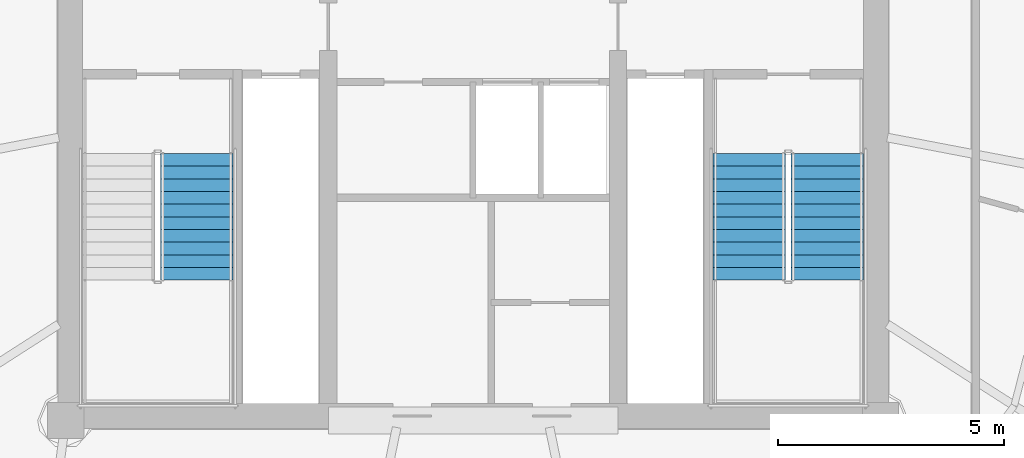
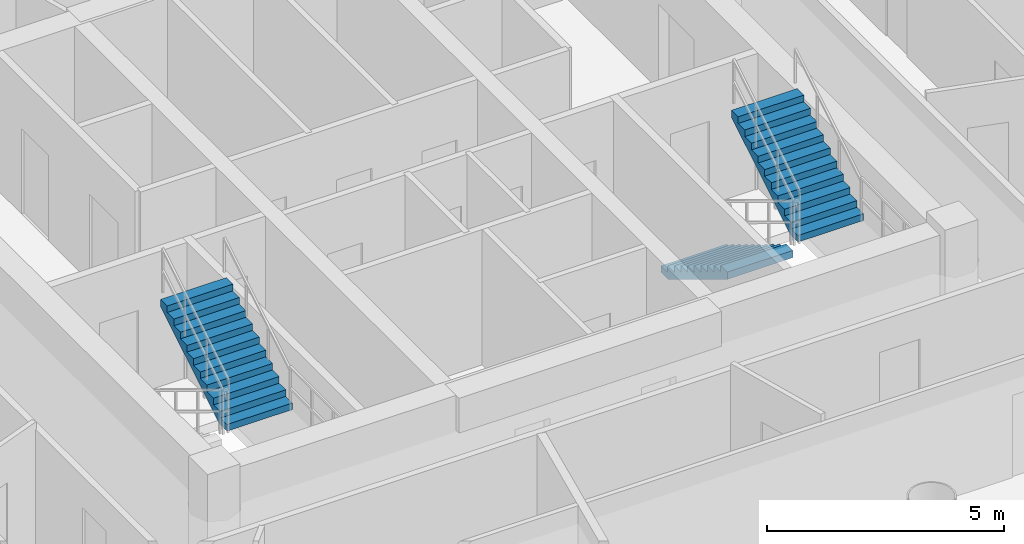
# One storey, part 18 of 22: 3 stair flights, 2 elements without a shape of their own.
"""IFC4 building model written with IfcOpenShell, lengths in metres."""

from ifc_helpers import new_model, si_unit, direction, frame, origin, place, context, subcontext, project, spatial, polyline, outline, extrude, material, type_object, element, aggregate, save


model = new_model("IFC4")

# Units and contexts
model_context = context("Model", 3, precision=1e-05, world=origin(), true_north=direction((-0.2419218956, 0.970295726276)))
body_context = subcontext(model_context, "Body", "Model", "MODEL_VIEW")
ifc_project = project(units=[si_unit("LENGTHUNIT", "METRE"), si_unit("AREAUNIT", "SQUARE_METRE"), si_unit("VOLUMEUNIT", "CUBIC_METRE"), si_unit("PLANEANGLEUNIT", "RADIAN"), si_unit("MASSUNIT", "GRAM", prefix="KILO")], contexts=[model_context])

# Site, building, storey
site_placement = place(None, origin())
site = spatial("IfcSite", under=ifc_project, at=site_placement, CompositionType="ELEMENT")
building_placement = place(site_placement, origin())
building = spatial("IfcBuilding", under=site, at=building_placement, Name="Cobrevalo Terracotta Tower", CompositionType="ELEMENT")
storey_placement = place(building_placement, frame((0.0, 0.0, 289.449951171875)))
storey = spatial("IfcBuildingStorey", under=building, at=storey_placement, Name="L76", CompositionType="ELEMENT", Elevation=289.449951171875)

# Stair, stair flight
ifc_material = material(Name="Concrete C50", Category="concrete")
stair_type = type_object("IfcStairType", Name="Core protected escape dogleg stair 1600", PredefinedType="HALF_TURN_STAIR", material=ifc_material)
stair_1_placement = place(storey_placement, origin())
stair_1 = element("IfcStair", 1, at=stair_1_placement, inside=storey, type_object=stair_type, Name="L76 Protected exit stair ST-1", PredefinedType="HALF_TURN_STAIR")
stair_flight_type = type_object("IfcStairFlightType", Name="Core protected escape dogleg stair 1600 flight", PredefinedType="STRAIGHT", material=ifc_material)
stair_flight_1_placement = place(storey_placement, frame((31.89501953125, 21.89990234375, 1.875), z_axis=(0.0, 0.0, 1.0), x_axis=(0.0, 1.0, 0.0)))
stair_flight_1 = element("IfcStairFlight", 2, at=stair_flight_1_placement, type_object=stair_flight_type, Name="ST-1 flight 2", NumberOfRisers=11, NumberOfTreads=10, PredefinedType="STRAIGHT", RiserHeight=0.170454545, TreadLength=0.28, context=body_context, shape_type="SweptSolid", body=[
    extrude(outline(polyline([(0.0, 0.0), (0.0, 0.17041015625), (0.280029296875, 0.17041015625), (0.280029296875, 0.3408203125), (0.56005859375, 0.3408203125), (0.56005859375, 0.511474609375), (0.840087890625, 0.511474609375), (0.840087890625, 0.681884765625), (1.1201171875, 0.681884765625), (1.1201171875, 0.852294921875), (1.39990234375, 0.852294921875), (1.39990234375, 1.022705078125), (1.679931640625, 1.022705078125), (1.679931640625, 1.193115234375), (1.9599609375, 1.193115234375), (1.9599609375, 1.363525390625), (2.239990234375, 1.363525390625), (2.239990234375, 1.5341796875), (2.52001953125, 1.5341796875), (2.52001953125, 1.70458984375), (2.800048828125, 1.70458984375), (2.800048828125, 1.875), (2.800048828125, 1.517333984375), (0.3076171875, 0.0), (0.0, 0.0)])), frame((0.0, 0.800048828125, 0.0), z_axis=(0.0, -1.0, 0.0), x_axis=(1.0, 0.0, 0.0)), (0.0, 0.0, 1.0), 1.60009765625),
])
aggregate(stair_1, [stair_flight_1])

# Stair, stair flights
stair_2_placement = place(storey_placement, origin())
stair_2 = element("IfcStair", 3, at=stair_2_placement, inside=storey, type_object=stair_type, Name="L76 Protected exit stair ST-2", PredefinedType="HALF_TURN_STAIR")
stair_flight_2_placement = place(storey_placement, frame((44.10498046875, 24.699951171875, 0.0), z_axis=(0.0, 0.0, 1.0), x_axis=(0.0, -1.0, 0.0)))
stair_flight_2 = element("IfcStairFlight", 4, at=stair_flight_2_placement, type_object=stair_flight_type, Name="ST-2 flight 1", NumberOfRisers=11, NumberOfTreads=10, PredefinedType="STRAIGHT", RiserHeight=0.170454545, TreadLength=0.28, context=body_context, shape_type="SweptSolid", body=[
    extrude(outline(polyline([(0.0, 0.0), (0.0, 0.17041015625), (0.280029296875, 0.17041015625), (0.280029296875, 0.3408203125), (0.56005859375, 0.3408203125), (0.56005859375, 0.511474609375), (0.840087890625, 0.511474609375), (0.840087890625, 0.681884765625), (1.1201171875, 0.681884765625), (1.1201171875, 0.852294921875), (1.39990234375, 0.852294921875), (1.39990234375, 1.022705078125), (1.679931640625, 1.022705078125), (1.679931640625, 1.193115234375), (1.9599609375, 1.193115234375), (1.9599609375, 1.363525390625), (2.239990234375, 1.363525390625), (2.239990234375, 1.5341796875), (2.52001953125, 1.5341796875), (2.52001953125, 1.70458984375), (2.800048828125, 1.70458984375), (2.800048828125, 1.875), (2.800048828125, 1.517333984375), (0.3076171875, 0.0), (0.0, 0.0)])), frame((0.0, 0.800048828125, 0.0), z_axis=(0.0, -1.0, 0.0), x_axis=(1.0, 0.0, 0.0)), (0.0, 0.0, 1.0), 1.60009765625),
])
stair_flight_3_placement = place(storey_placement, frame((45.824951171875, 21.89990234375, 1.875), z_axis=(0.0, 0.0, 1.0), x_axis=(0.0, 1.0, 0.0)))
stair_flight_3 = element("IfcStairFlight", 5, at=stair_flight_3_placement, type_object=stair_flight_type, Name="ST-2 flight 2", NumberOfRisers=11, NumberOfTreads=10, PredefinedType="STRAIGHT", RiserHeight=0.170454545, TreadLength=0.28, context=body_context, shape_type="SweptSolid", body=[
    extrude(outline(polyline([(0.0, 0.0), (0.0, 0.17041015625), (0.280029296875, 0.17041015625), (0.280029296875, 0.3408203125), (0.56005859375, 0.3408203125), (0.56005859375, 0.511474609375), (0.840087890625, 0.511474609375), (0.840087890625, 0.681884765625), (1.1201171875, 0.681884765625), (1.1201171875, 0.852294921875), (1.39990234375, 0.852294921875), (1.39990234375, 1.022705078125), (1.679931640625, 1.022705078125), (1.679931640625, 1.193115234375), (1.9599609375, 1.193115234375), (1.9599609375, 1.363525390625), (2.239990234375, 1.363525390625), (2.239990234375, 1.5341796875), (2.52001953125, 1.5341796875), (2.52001953125, 1.70458984375), (2.800048828125, 1.70458984375), (2.800048828125, 1.875), (2.800048828125, 1.517333984375), (0.3076171875, 0.0), (0.0, 0.0)])), frame((0.0, 0.800048828125, 0.0), z_axis=(0.0, -1.0, 0.0), x_axis=(1.0, 0.0, 0.0)), (0.0, 0.0, 1.0), 1.60009765625),
])
aggregate(stair_2, [stair_flight_2, stair_flight_3])

save(model, "model.ifc")
